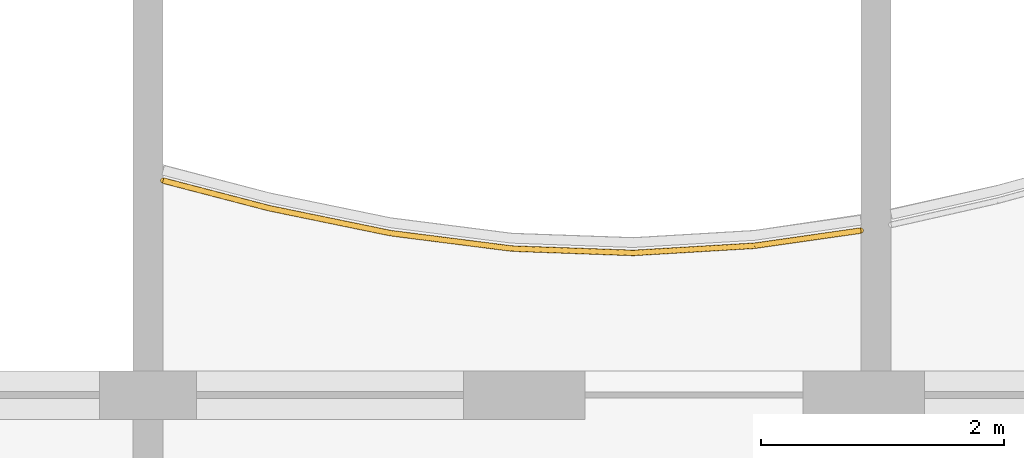
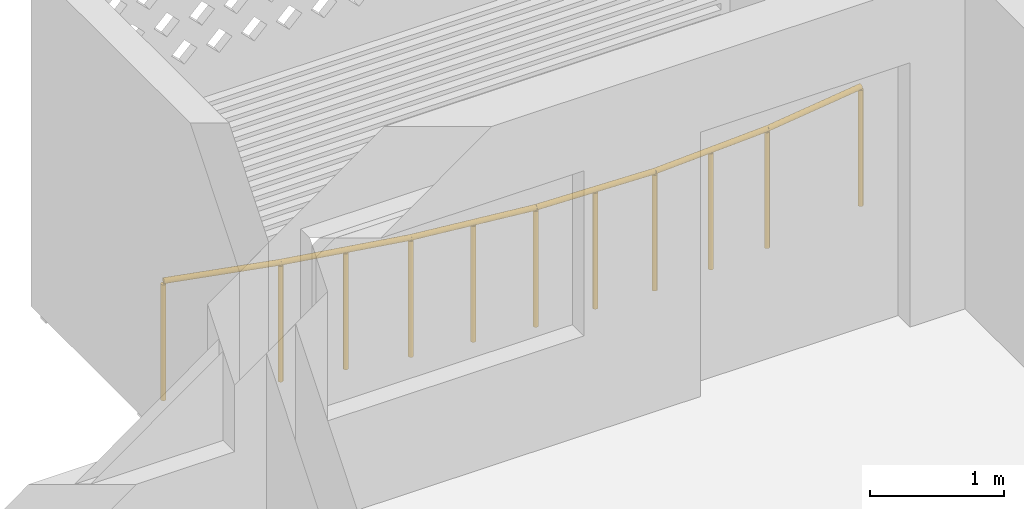
# One storey, part 24 of 27: 1 railing.
"""IFC4 building model written with IfcOpenShell, lengths in metres."""

from ifc_helpers import new_model, si_unit, direction, frame, origin, origin_2d, place, context, subcontext, project, spatial, circle, extrude, material, type_object, element, save


model = new_model("IFC4")

# Units and contexts
model_context = context("Model", 3, precision=1e-05, world=origin(), true_north=direction((0.0, 1.0)))
body_context = subcontext(model_context, "Body", "Model", "MODEL_VIEW")
ifc_project = project(units=[si_unit("LENGTHUNIT", "METRE"), si_unit("AREAUNIT", "SQUARE_METRE"), si_unit("VOLUMEUNIT", "CUBIC_METRE"), si_unit("PLANEANGLEUNIT", "RADIAN"), si_unit("MASSUNIT", "GRAM", prefix="KILO")], contexts=[model_context])

# Site, building, storey
site_placement = place(None, origin())
site = spatial("IfcSite", under=ifc_project, at=site_placement, CompositionType="ELEMENT")
building_placement = place(site_placement, origin())
building = spatial("IfcBuilding", under=site, at=building_placement, Name="Poui Terraces", CompositionType="ELEMENT")
storey_placement = place(building_placement, frame((0.0, 0.0, 191.699951171875)))
storey = spatial("IfcBuildingStorey", under=building, at=storey_placement, Name="L53", CompositionType="ELEMENT", Elevation=191.699951171875)

# Railing
ifc_material = material(Name="Painted steel fretwork", Category="steel")
railing_type = type_object("IfcRailingType", Name="BALCONY GUARD 1100", PredefinedType="GUARDRAIL", material=ifc_material)
railing_placement = place(storey_placement, frame((66.125, 42.967041015625, 0.0)))
element("IfcRailing", 1, at=railing_placement, inside=storey, type_object=railing_type, Name="BALCONY GUARD", PredefinedType="GUARDRAIL", context=body_context, shape_type="SweptSolid", body=[
    extrude(circle(Radius=0.02392578125, at=origin_2d()), frame((0.0, 0.0, 1.076171875), z_axis=(0.967746181344, -0.25192722857, 0.0), x_axis=(0.25192722857, 0.967746181344, 0.0)), (0.0, 0.0, 1.0), 0.904052734375),
    extrude(circle(Radius=0.02392578125, at=origin_2d()), frame((0.875, -0.227783203125, 1.076171875), z_axis=(0.979518122884, -0.201356020378, 0.0), x_axis=(0.201356020378, 0.979518122884, 0.0)), (0.0, 0.0, 1.0), 1.02099609375),
    extrude(circle(Radius=0.02392578125, at=origin_2d()), frame((1.875, -0.433349609375, 1.076171875), z_axis=(0.992007284566, -0.126180614077, 0.0), x_axis=(0.126180614077, 0.992007284566, 0.0)), (0.0, 0.0, 1.0), 1.008056640625),
    extrude(circle(Radius=0.02392578125, at=origin_2d()), frame((2.875, -0.560546875, 1.076171875), z_axis=(0.999365338401, -0.035621909035, 0.0), x_axis=(0.035621909035, 0.999365338401, 0.0)), (0.0, 0.0, 1.0), 1.000732421875),
    extrude(circle(Radius=0.02392578125, at=origin_2d()), frame((3.875, -0.59619140625, 1.076171875), z_axis=(0.998244834412, 0.05922204462, 0.0), x_axis=(-0.05922204462, 0.998244834412, 0.0)), (0.0, 0.0, 1.0), 1.001708984375),
    extrude(circle(Radius=0.02392578125, at=origin_2d()), frame((4.875, -0.536865234375, 1.076171875), z_axis=(0.989910788266, 0.141692029682, 0.0), x_axis=(-0.141692029682, 0.989910788266, 0.0)), (0.0, 0.0, 1.0), 0.884033203125),
    extrude(circle(Radius=0.02099609375, at=origin_2d()), origin(), (0.0, 0.0, 1.0), 1.052001953125),
    extrude(circle(Radius=0.02099609375, at=origin_2d()), frame((0.875, -0.227783203125, 0.0)), (0.0, 0.0, 1.0), 1.052001953125),
    extrude(circle(Radius=0.02099609375, at=origin_2d()), frame((1.375, -0.33056640625, 0.0)), (0.0, 0.0, 1.0), 1.052001953125),
    extrude(circle(Radius=0.02099609375, at=origin_2d()), frame((1.875, -0.433349609375, 0.0)), (0.0, 0.0, 1.0), 1.052001953125),
    extrude(circle(Radius=0.02099609375, at=origin_2d()), frame((2.375, -0.4970703125, 0.0)), (0.0, 0.0, 1.0), 1.052001953125),
    extrude(circle(Radius=0.02099609375, at=origin_2d()), frame((2.875, -0.560546875, 0.0)), (0.0, 0.0, 1.0), 1.052001953125),
    extrude(circle(Radius=0.02099609375, at=origin_2d()), frame((3.375, -0.578369140625, 0.0)), (0.0, 0.0, 1.0), 1.052001953125),
    extrude(circle(Radius=0.02099609375, at=origin_2d()), frame((3.875, -0.59619140625, 0.0)), (0.0, 0.0, 1.0), 1.052001953125),
    extrude(circle(Radius=0.02099609375, at=origin_2d()), frame((4.375, -0.56640625, 0.0)), (0.0, 0.0, 1.0), 1.052001953125),
    extrude(circle(Radius=0.02099609375, at=origin_2d()), frame((4.875, -0.536865234375, 0.0)), (0.0, 0.0, 1.0), 1.052001953125),
    extrude(circle(Radius=0.02099609375, at=origin_2d()), frame((5.75, -0.41162109375, 0.0)), (0.0, 0.0, 1.0), 1.052001953125),
])

save(model, "model.ifc")
